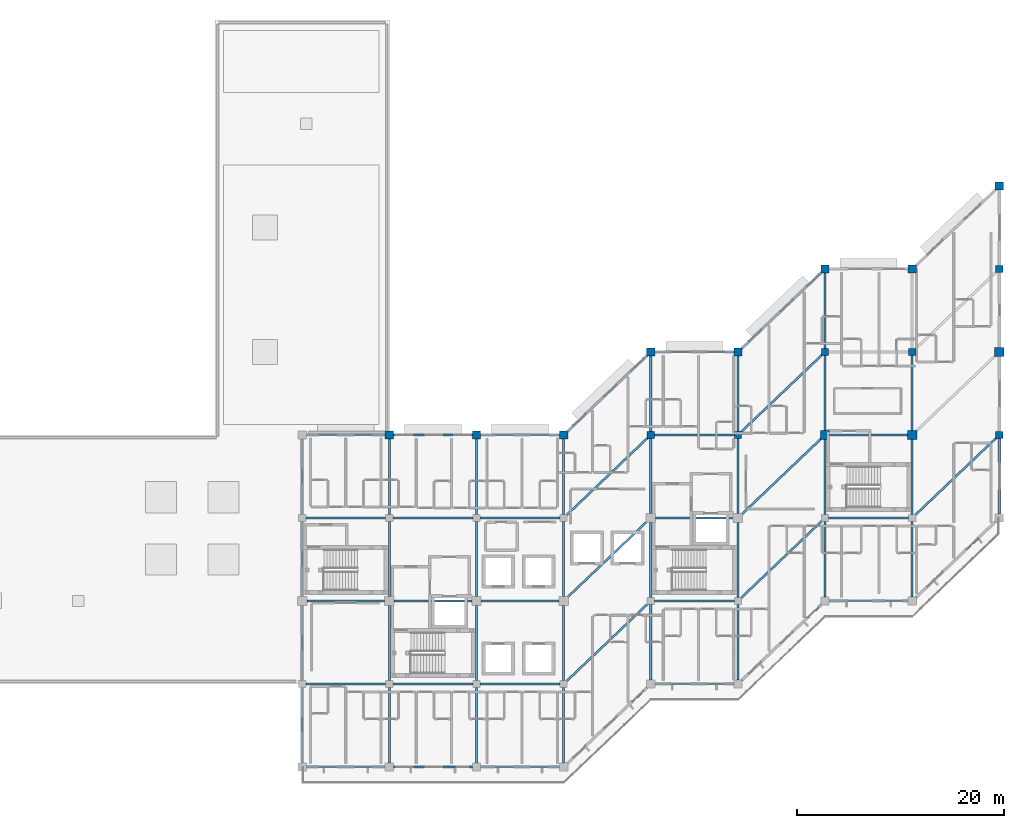
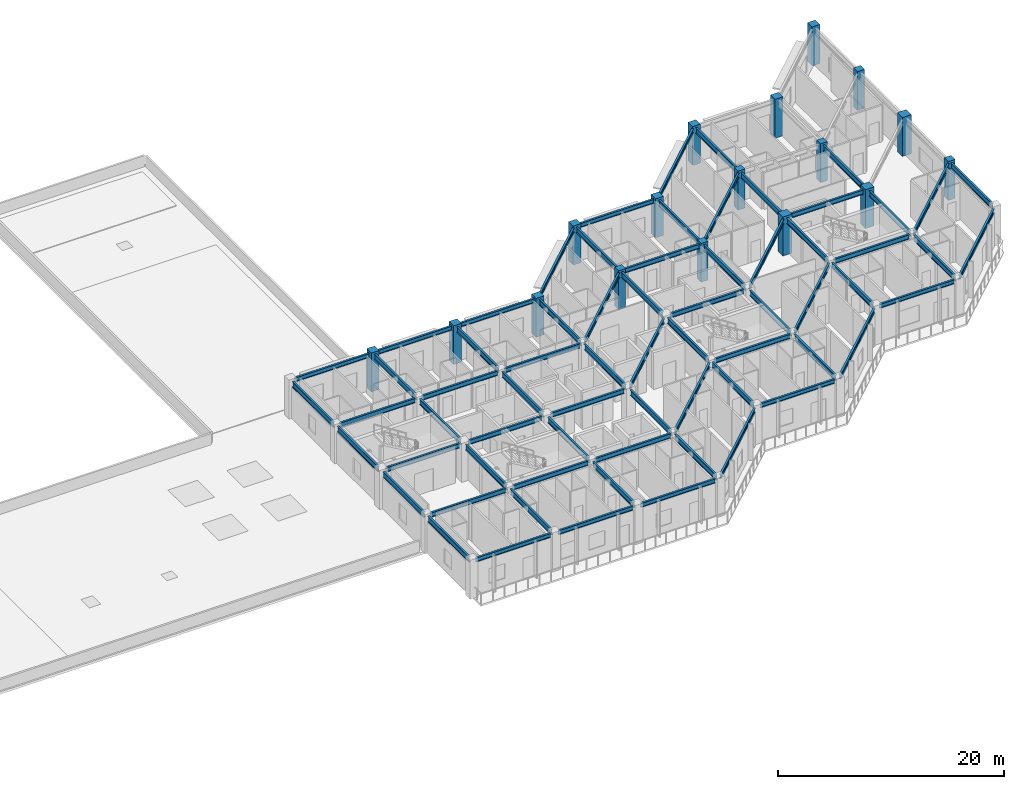
# One storey, part 4 of 22: 67 beams, 17 columns.
"""IFC4 building model written with IfcOpenShell, lengths in metres."""

from ifc_helpers import new_model, si_unit, direction, frame, origin, origin_2d, place, context, subcontext, project, spatial, rectangle, i_section, extrude, material, material_profile, profile_set, type_object, element, save


model = new_model("IFC4")

# Units and contexts
model_context = context("Model", 3, precision=1e-05, world=origin(), true_north=direction((0.0, 1.0)))
body_context = subcontext(model_context, "Body", "Model", "MODEL_VIEW")
ifc_project = project(units=[si_unit("LENGTHUNIT", "METRE"), si_unit("AREAUNIT", "SQUARE_METRE"), si_unit("VOLUMEUNIT", "CUBIC_METRE"), si_unit("PLANEANGLEUNIT", "RADIAN"), si_unit("MASSUNIT", "GRAM", prefix="KILO")], contexts=[model_context])

# Site, building, storey
site_placement = place(None, origin())
site = spatial("IfcSite", under=ifc_project, at=site_placement, CompositionType="ELEMENT")
building_placement = place(site_placement, origin())
building = spatial("IfcBuilding", under=site, at=building_placement, Name="Naruveol Harbour Congress Hotel", CompositionType="ELEMENT")
storey_placement = place(building_placement, frame((0.0, 0.0, 21.0)))
storey = spatial("IfcBuildingStorey", under=building, at=storey_placement, Name="L04", CompositionType="ELEMENT", Elevation=21.0)

# Columns
ifc_material_1 = material(Name="Concrete C40/50", Category="concrete")
ifc_material_profile_1 = material_profile(ifc_material_1, rectangle(XDim=0.699951171875, YDim=0.699951171875, at=origin_2d()), Name="RC-700x700")
ifc_profile_set_1 = profile_set([ifc_material_profile_1], Name="Concrete C40/50")
column_type_1 = type_object("IfcColumnType", Name="RC HOTEL COLUMN 700X700", PredefinedType="COLUMN", material=ifc_profile_set_1)
for number, where, z_axis, x_axis, name in (
    (1, (151.199951171875, 32.0, 0.0), (0.0, 0.0, 1.0), (1.0, 0.0, 0.0), "Planted hotel column C-700 L04 S4/J3"),
    (2, (159.60009765625, 32.0, 0.0), (0.0, 0.0, 1.0), (1.0, 0.0, 0.0), "Planted hotel column C-700 L04 S5/J3"),
    (3, (168.0, 40.0, 0.0), (0.0, 0.0, 1.0), (1.0, 0.0, 0.0), "Planted hotel column C-700 L04 S6/J3"),
    (4, (176.39990234375, 40.0, 0.0), (0.0, 0.0, 1.0), (1.0, 0.0, 0.0), "Planted hotel column C-700 L04 S7/J3"),
    (5, (184.800048828125, 32.0, 0.0), (0.0, 0.0, 1.0), (1.0, 0.0, 0.0), "Planted hotel column C-700 L04 S8/J1"),
    (6, (184.800048828125, 48.0, 0.0), (0.0, 0.0, 1.0), (1.0, 0.0, 0.0), "Planted hotel column C-700 L04 S8/J3"),
):
    element("IfcColumn", number, at=place(storey_placement, frame(where, z_axis=z_axis, x_axis=x_axis)), inside=storey, type_object=column_type_1, Name=name, PredefinedType="COLUMN", context=body_context, shape_type="SweptSolid", body=[
        extrude(rectangle(XDim=0.699951171875, YDim=0.699951171875, at=origin_2d()), origin(), (0.0, 0.0, 1.0), 4.199951171875),
    ])
ifc_material_2 = material(Name="Concrete C50/60", Category="concrete")
ifc_material_profile_2 = material_profile(ifc_material_2, rectangle(XDim=0.800048828125, YDim=0.800048828125, at=origin_2d()), Name="RC-800x800")
ifc_profile_set_2 = profile_set([ifc_material_profile_2], Name="Concrete C50/60")
column_type_2 = type_object("IfcColumnType", Name="RC PODIUM COLUMN 800X800", PredefinedType="COLUMN", material=ifc_profile_set_2)
for number, where, z_axis, x_axis, name in (
    (7, (126.0, 32.0, 0.0), (0.0, 0.0, 1.0), (1.0, 0.0, 0.0), "Column C-800 L04 (126.0,32.0)"),
    (8, (134.39990234375, 32.0, 0.0), (0.0, 0.0, 1.0), (1.0, 0.0, 0.0), "Column C-800 L04 (134.4,32.0)"),
    (9, (142.800048828125, 32.0, 0.0), (0.0, 0.0, 1.0), (1.0, 0.0, 0.0), "Column C-800 L04 (142.8,32.0)"),
    (10, (151.199951171875, 40.0, 0.0), (0.0, 0.0, 1.0), (1.0, 0.0, 0.0), "Column C-800 L04 (151.2,40.0)"),
    (11, (159.60009765625, 40.0, 0.0), (0.0, 0.0, 1.0), (1.0, 0.0, 0.0), "Column C-800 L04 (159.6,40.0)"),
    (12, (168.0, 48.0, 0.0), (0.0, 0.0, 1.0), (1.0, 0.0, 0.0), "Column C-800 L04 (168.0,48.0)"),
    (13, (176.39990234375, 48.0, 0.0), (0.0, 0.0, 1.0), (1.0, 0.0, 0.0), "Column C-800 L04 (176.4,48.0)"),
    (14, (184.800048828125, 56.0, 0.0), (0.0, 0.0, 1.0), (1.0, 0.0, 0.0), "Column C-800 L04 (184.8,56.0)"),
):
    element("IfcColumn", number, at=place(storey_placement, frame(where, z_axis=z_axis, x_axis=x_axis)), inside=storey, type_object=column_type_2, Name=name, PredefinedType="COLUMN", context=body_context, shape_type="SweptSolid", body=[
        extrude(rectangle(XDim=0.800048828125, YDim=0.800048828125, at=origin_2d()), origin(), (0.0, 0.0, 1.0), 4.199951171875),
    ])
ifc_material_3 = material(Name="Concrete C50/60", Category="concrete")
ifc_material_profile_3 = material_profile(ifc_material_3, rectangle(XDim=0.89990234375, YDim=0.89990234375, at=origin_2d()), Name="RC-900x900")
ifc_profile_set_3 = profile_set([ifc_material_profile_3], Name="Concrete C50/60")
column_type_3 = type_object("IfcColumnType", Name="RC PRIMARY COLUMN 900X900", PredefinedType="COLUMN", material=ifc_profile_set_3)
for number, where, z_axis, x_axis, name in (
    (15, (168.0, 32.0, 0.0), (0.0, 0.0, 1.0), (1.0, 0.0, 0.0), "Column C-900 L04 (168.0,32.0)"),
    (16, (176.39990234375, 32.0, 0.0), (0.0, 0.0, 1.0), (1.0, 0.0, 0.0), "Column C-900 L04 (176.4,32.0)"),
    (17, (184.800048828125, 40.0, 0.0), (0.0, 0.0, 1.0), (1.0, 0.0, 0.0), "Column C-900 L04 (184.8,40.0)"),
):
    element("IfcColumn", number, at=place(storey_placement, frame(where, z_axis=z_axis, x_axis=x_axis)), inside=storey, type_object=column_type_3, Name=name, PredefinedType="COLUMN", context=body_context, shape_type="SweptSolid", body=[
        extrude(rectangle(XDim=0.89990234375, YDim=0.89990234375, at=origin_2d()), origin(), (0.0, 0.0, 1.0), 4.199951171875),
    ])

# Beams
ifc_material_4 = material(Name="Steel SN490", Category="steel")
ifc_material_profile_4 = material_profile(ifc_material_4, i_section(OverallWidth=0.199951171875, OverallDepth=0.5, WebThickness=0.010009765625, FlangeThickness=0.01611328125, at=origin_2d()), Name="H-500x200x10x16")
ifc_profile_set_4 = profile_set([ifc_material_profile_4], Name="Steel SN490")
beam_type_1 = type_object("IfcBeamType", Name="STEEL FLOOR GIRDER H500", PredefinedType="BEAM", material=ifc_profile_set_4)
beam_1_placement = place(storey_placement, frame((117.946044921875, 8.0, 3.72998046875), z_axis=(1.0, 0.0, 0.0), x_axis=(0.0, 1.0, 0.0)))
element("IfcBeam", 18, at=beam_1_placement, inside=storey, type_object=beam_type_1, Name="Hotel chord beam L05 SB2", PredefinedType="BEAM", context=body_context, shape_type="SweptSolid", body=[
    extrude(i_section(OverallWidth=0.199951171875, OverallDepth=0.5, WebThickness=0.010009765625, FlangeThickness=0.01611328125, at=origin_2d()), origin(), (0.0, 0.0, 1.0), 7.7080078125),
])
beam_2_placement = place(storey_placement, frame((118.0458984375, 16.0, 3.72998046875), z_axis=(1.0, 0.0, 0.0), x_axis=(0.0, 1.0, 0.0)))
element("IfcBeam", 19, at=beam_2_placement, inside=storey, type_object=beam_type_1, Name="Hotel chord beam L05 SB2", PredefinedType="BEAM", context=body_context, shape_type="SweptSolid", body=[
    extrude(i_section(OverallWidth=0.199951171875, OverallDepth=0.5, WebThickness=0.010009765625, FlangeThickness=0.01611328125, at=origin_2d()), origin(), (0.0, 0.0, 1.0), 7.508056640625),
])
for number, where, z_axis, x_axis, name in (
    (20, (117.946044921875, 24.0, 3.72998046875), (1.0, 0.0, 0.0), (0.0, 1.0, 0.0), "Hotel chord beam L05 SB2"),
    (21, (126.345947265625, 8.0, 3.72998046875), (1.0, 0.0, 0.0), (0.0, 1.0, 0.0), "Hotel chord beam L05 SB2"),
):
    element("IfcBeam", number, at=place(storey_placement, frame(where, z_axis=z_axis, x_axis=x_axis)), inside=storey, type_object=beam_type_1, Name=name, PredefinedType="BEAM", context=body_context, shape_type="SweptSolid", body=[
        extrude(i_section(OverallWidth=0.199951171875, OverallDepth=0.5, WebThickness=0.010009765625, FlangeThickness=0.01611328125, at=origin_2d()), origin(), (0.0, 0.0, 1.0), 7.7080078125),
    ])
beam_3_placement = place(storey_placement, frame((126.446044921875, 16.0, 3.72998046875), z_axis=(1.0, 0.0, 0.0), x_axis=(0.0, 1.0, 0.0)))
element("IfcBeam", 22, at=beam_3_placement, inside=storey, type_object=beam_type_1, Name="Hotel chord beam L05 SB2", PredefinedType="BEAM", context=body_context, shape_type="SweptSolid", body=[
    extrude(i_section(OverallWidth=0.199951171875, OverallDepth=0.5, WebThickness=0.010009765625, FlangeThickness=0.01611328125, at=origin_2d()), origin(), (0.0, 0.0, 1.0), 7.508056640625),
])
for number, where, z_axis, x_axis, name in (
    (23, (126.345947265625, 24.0, 3.72998046875), (1.0, 0.0, 0.0), (0.0, 1.0, 0.0), "Hotel chord beam L05 SB2"),
    (24, (134.74609375, 8.0, 3.72998046875), (1.0, 0.0, 0.0), (0.0, 1.0, 0.0), "Hotel chord beam L05 SB2"),
):
    element("IfcBeam", number, at=place(storey_placement, frame(where, z_axis=z_axis, x_axis=x_axis)), inside=storey, type_object=beam_type_1, Name=name, PredefinedType="BEAM", context=body_context, shape_type="SweptSolid", body=[
        extrude(i_section(OverallWidth=0.199951171875, OverallDepth=0.5, WebThickness=0.010009765625, FlangeThickness=0.01611328125, at=origin_2d()), origin(), (0.0, 0.0, 1.0), 7.7080078125),
    ])
beam_4_placement = place(storey_placement, frame((134.845947265625, 16.0, 3.72998046875), z_axis=(1.0, 0.0, 0.0), x_axis=(0.0, 1.0, 0.0)))
element("IfcBeam", 25, at=beam_4_placement, inside=storey, type_object=beam_type_1, Name="Hotel chord beam L05 SB2", PredefinedType="BEAM", context=body_context, shape_type="SweptSolid", body=[
    extrude(i_section(OverallWidth=0.199951171875, OverallDepth=0.5, WebThickness=0.010009765625, FlangeThickness=0.01611328125, at=origin_2d()), origin(), (0.0, 0.0, 1.0), 7.508056640625),
])
beam_5_placement = place(storey_placement, frame((134.74609375, 24.0, 3.72998046875), z_axis=(1.0, 0.0, 0.0), x_axis=(0.0, 1.0, 0.0)))
element("IfcBeam", 26, at=beam_5_placement, inside=storey, type_object=beam_type_1, Name="Hotel chord beam L05 SB2", PredefinedType="BEAM", context=body_context, shape_type="SweptSolid", body=[
    extrude(i_section(OverallWidth=0.199951171875, OverallDepth=0.5, WebThickness=0.010009765625, FlangeThickness=0.01611328125, at=origin_2d()), origin(), (0.0, 0.0, 1.0), 7.7080078125),
])
beam_6_placement = place(storey_placement, frame((143.050537109375, 8.238525390625, 3.72998046875), z_axis=(0.724130479369, 0.689662996578, 0.0), x_axis=(-0.689662996578, 0.724130479369, 0.0)))
element("IfcBeam", 27, at=beam_6_placement, inside=storey, type_object=beam_type_1, Name="Hotel chord beam L05 SB2", PredefinedType="BEAM", context=body_context, shape_type="SweptSolid", body=[
    extrude(i_section(OverallWidth=0.199951171875, OverallDepth=0.5, WebThickness=0.010009765625, FlangeThickness=0.01611328125, at=origin_2d()), origin(), (0.0, 0.0, 1.0), 10.908203125),
])
beam_7_placement = place(storey_placement, frame((143.123046875, 16.3076171875, 3.72998046875), z_axis=(0.724133593293, 0.689659727013, 0.0), x_axis=(-0.689659727013, 0.724133593293, 0.0)))
element("IfcBeam", 28, at=beam_7_placement, inside=storey, type_object=beam_type_1, Name="Hotel chord beam L05 SB2", PredefinedType="BEAM", context=body_context, shape_type="SweptSolid", body=[
    extrude(i_section(OverallWidth=0.199951171875, OverallDepth=0.5, WebThickness=0.010009765625, FlangeThickness=0.01611328125, at=origin_2d()), origin(), (0.0, 0.0, 1.0), 10.707763671875),
])
beam_8_placement = place(storey_placement, frame((143.050537109375, 24.238525390625, 3.72998046875), z_axis=(0.724130479369, 0.689662996578, 0.0), x_axis=(-0.689662996578, 0.724130479369, 0.0)))
element("IfcBeam", 29, at=beam_8_placement, inside=storey, type_object=beam_type_1, Name="Hotel chord beam L05 SB2", PredefinedType="BEAM", context=body_context, shape_type="SweptSolid", body=[
    extrude(i_section(OverallWidth=0.199951171875, OverallDepth=0.5, WebThickness=0.010009765625, FlangeThickness=0.01611328125, at=origin_2d()), origin(), (0.0, 0.0, 1.0), 10.908203125),
])
beam_9_placement = place(storey_placement, frame((151.5458984375, 16.0, 3.72998046875), z_axis=(1.0, 0.0, 0.0), x_axis=(0.0, 1.0, 0.0)))
element("IfcBeam", 30, at=beam_9_placement, inside=storey, type_object=beam_type_1, Name="Hotel chord beam L05 SB2", PredefinedType="BEAM", context=body_context, shape_type="SweptSolid", body=[
    extrude(i_section(OverallWidth=0.199951171875, OverallDepth=0.5, WebThickness=0.010009765625, FlangeThickness=0.01611328125, at=origin_2d()), origin(), (0.0, 0.0, 1.0), 7.7080078125),
])
beam_10_placement = place(storey_placement, frame((151.64599609375, 24.0, 3.72998046875), z_axis=(1.0, 0.0, 0.0), x_axis=(0.0, 1.0, 0.0)))
element("IfcBeam", 31, at=beam_10_placement, inside=storey, type_object=beam_type_1, Name="Hotel chord beam L05 SB2", PredefinedType="BEAM", context=body_context, shape_type="SweptSolid", body=[
    extrude(i_section(OverallWidth=0.199951171875, OverallDepth=0.5, WebThickness=0.010009765625, FlangeThickness=0.01611328125, at=origin_2d()), origin(), (0.0, 0.0, 1.0), 7.508056640625),
])
beam_11_placement = place(storey_placement, frame((151.5458984375, 32.0, 3.72998046875), z_axis=(1.0, 0.0, 0.0), x_axis=(0.0, 1.0, 0.0)))
element("IfcBeam", 32, at=beam_11_placement, inside=storey, type_object=beam_type_1, Name="Hotel chord beam L05 SB2", PredefinedType="BEAM", context=body_context, shape_type="SweptSolid", body=[
    extrude(i_section(OverallWidth=0.199951171875, OverallDepth=0.5, WebThickness=0.010009765625, FlangeThickness=0.01611328125, at=origin_2d()), origin(), (0.0, 0.0, 1.0), 7.7080078125),
])
beam_12_placement = place(storey_placement, frame((159.8505859375, 16.238525390625, 3.72998046875), z_axis=(0.724130479369, 0.689662996578, 0.0), x_axis=(-0.689662996578, 0.724130479369, 0.0)))
element("IfcBeam", 33, at=beam_12_placement, inside=storey, type_object=beam_type_1, Name="Hotel chord beam L05 SB2", PredefinedType="BEAM", context=body_context, shape_type="SweptSolid", body=[
    extrude(i_section(OverallWidth=0.199951171875, OverallDepth=0.5, WebThickness=0.010009765625, FlangeThickness=0.01611328125, at=origin_2d()), origin(), (0.0, 0.0, 1.0), 10.908203125),
])
beam_13_placement = place(storey_placement, frame((159.923095703125, 24.3076171875, 3.72998046875), z_axis=(0.724133593293, 0.689659727013, 0.0), x_axis=(-0.689659727013, 0.724133593293, 0.0)))
element("IfcBeam", 34, at=beam_13_placement, inside=storey, type_object=beam_type_1, Name="Hotel chord beam L05 SB2", PredefinedType="BEAM", context=body_context, shape_type="SweptSolid", body=[
    extrude(i_section(OverallWidth=0.199951171875, OverallDepth=0.5, WebThickness=0.010009765625, FlangeThickness=0.01611328125, at=origin_2d()), origin(), (0.0, 0.0, 1.0), 10.707763671875),
])
beam_14_placement = place(storey_placement, frame((159.8505859375, 32.238525390625, 3.72998046875), z_axis=(0.724130479369, 0.689662996578, 0.0), x_axis=(-0.689662996578, 0.724130479369, 0.0)))
element("IfcBeam", 35, at=beam_14_placement, inside=storey, type_object=beam_type_1, Name="Hotel chord beam L05 SB2", PredefinedType="BEAM", context=body_context, shape_type="SweptSolid", body=[
    extrude(i_section(OverallWidth=0.199951171875, OverallDepth=0.5, WebThickness=0.010009765625, FlangeThickness=0.01611328125, at=origin_2d()), origin(), (0.0, 0.0, 1.0), 10.908203125),
])
beam_15_placement = place(storey_placement, frame((168.345947265625, 24.0, 3.72998046875), z_axis=(1.0, 0.0, 0.0), x_axis=(0.0, 1.0, 0.0)))
element("IfcBeam", 36, at=beam_15_placement, inside=storey, type_object=beam_type_1, Name="Hotel chord beam L05 SB2", PredefinedType="BEAM", context=body_context, shape_type="SweptSolid", body=[
    extrude(i_section(OverallWidth=0.199951171875, OverallDepth=0.5, WebThickness=0.010009765625, FlangeThickness=0.01611328125, at=origin_2d()), origin(), (0.0, 0.0, 1.0), 7.7080078125),
])
beam_16_placement = place(storey_placement, frame((168.446044921875, 32.0, 3.72998046875), z_axis=(1.0, 0.0, 0.0), x_axis=(0.0, 1.0, 0.0)))
element("IfcBeam", 37, at=beam_16_placement, inside=storey, type_object=beam_type_1, Name="Hotel chord beam L05 SB2", PredefinedType="BEAM", context=body_context, shape_type="SweptSolid", body=[
    extrude(i_section(OverallWidth=0.199951171875, OverallDepth=0.5, WebThickness=0.010009765625, FlangeThickness=0.01611328125, at=origin_2d()), origin(), (0.0, 0.0, 1.0), 7.508056640625),
])
beam_17_placement = place(storey_placement, frame((176.650634765625, 24.238525390625, 3.72998046875), z_axis=(0.724119833693, 0.689674174123, 0.0), x_axis=(-0.689674174123, 0.724119833693, 0.0)))
element("IfcBeam", 38, at=beam_17_placement, inside=storey, type_object=beam_type_1, Name="Hotel chord beam L05 SB2", PredefinedType="BEAM", context=body_context, shape_type="SweptSolid", body=[
    extrude(i_section(OverallWidth=0.199951171875, OverallDepth=0.5, WebThickness=0.010009765625, FlangeThickness=0.01611328125, at=origin_2d()), origin(), (0.0, 0.0, 1.0), 10.907958984375),
])
ifc_material_5 = material(Name="Steel SN490", Category="steel")
ifc_material_profile_5 = material_profile(ifc_material_5, i_section(OverallWidth=0.199951171875, OverallDepth=0.60009765625, WebThickness=0.010986328125, FlangeThickness=0.01708984375, at=origin_2d()), Name="H-600x200x11x17")
ifc_profile_set_5 = profile_set([ifc_material_profile_5], Name="Steel SN490")
beam_type_2 = type_object("IfcBeamType", Name="STEEL PRIMARY FLOOR BEAM H600", PredefinedType="BEAM", material=ifc_profile_set_5)
beam_18_placement = place(storey_placement, frame((117.60009765625, 0.39599609375, 3.679931640625), z_axis=(0.0, 1.0, 0.0), x_axis=(-1.0, 0.0, 0.0)))
element("IfcBeam", 39, at=beam_18_placement, inside=storey, type_object=beam_type_2, Name="Hotel transverse beam L05 SB1", PredefinedType="BEAM", context=body_context, shape_type="SweptSolid", body=[
    extrude(i_section(OverallWidth=0.199951171875, OverallDepth=0.60009765625, WebThickness=0.010986328125, FlangeThickness=0.01708984375, at=origin_2d()), origin(), (0.0, 0.0, 1.0), 7.258056640625),
])
for number, where, z_axis, x_axis, name in (
    (40, (117.60009765625, 8.345947265625, 3.679931640625), (0.0, 1.0, 0.0), (-1.0, 0.0, 0.0), "Hotel transverse beam L05 SB1"),
    (41, (117.60009765625, 16.446044921875, 3.679931640625), (0.0, 1.0, 0.0), (-1.0, 0.0, 0.0), "Hotel transverse beam L05 SB1"),
):
    element("IfcBeam", number, at=place(storey_placement, frame(where, z_axis=z_axis, x_axis=x_axis)), inside=storey, type_object=beam_type_2, Name=name, PredefinedType="BEAM", context=body_context, shape_type="SweptSolid", body=[
        extrude(i_section(OverallWidth=0.199951171875, OverallDepth=0.60009765625, WebThickness=0.010986328125, FlangeThickness=0.01708984375, at=origin_2d()), origin(), (0.0, 0.0, 1.0), 7.2080078125),
    ])
for number, where, z_axis, x_axis, name in (
    (42, (117.60009765625, 24.345947265625, 3.679931640625), (0.0, 1.0, 0.0), (-1.0, 0.0, 0.0), "Hotel transverse beam L05 SB1"),
    (43, (126.0, 0.39599609375, 3.679931640625), (0.0, 1.0, 0.0), (-1.0, 0.0, 0.0), "Hotel transverse beam L05 SB1"),
):
    element("IfcBeam", number, at=place(storey_placement, frame(where, z_axis=z_axis, x_axis=x_axis)), inside=storey, type_object=beam_type_2, Name=name, PredefinedType="BEAM", context=body_context, shape_type="SweptSolid", body=[
        extrude(i_section(OverallWidth=0.199951171875, OverallDepth=0.60009765625, WebThickness=0.010986328125, FlangeThickness=0.01708984375, at=origin_2d()), origin(), (0.0, 0.0, 1.0), 7.258056640625),
    ])
for number, where, z_axis, x_axis, name in (
    (44, (126.0, 8.345947265625, 3.679931640625), (0.0, 1.0, 0.0), (-1.0, 0.0, 0.0), "Hotel transverse beam L05 SB1"),
    (45, (126.0, 16.446044921875, 3.679931640625), (0.0, 1.0, 0.0), (-1.0, 0.0, 0.0), "Hotel transverse beam L05 SB1"),
):
    element("IfcBeam", number, at=place(storey_placement, frame(where, z_axis=z_axis, x_axis=x_axis)), inside=storey, type_object=beam_type_2, Name=name, PredefinedType="BEAM", context=body_context, shape_type="SweptSolid", body=[
        extrude(i_section(OverallWidth=0.199951171875, OverallDepth=0.60009765625, WebThickness=0.010986328125, FlangeThickness=0.01708984375, at=origin_2d()), origin(), (0.0, 0.0, 1.0), 7.2080078125),
    ])
for number, where, z_axis, x_axis, name in (
    (46, (126.0, 24.345947265625, 3.679931640625), (0.0, 1.0, 0.0), (-1.0, 0.0, 0.0), "Hotel transverse beam L05 SB1"),
    (47, (134.39990234375, 0.39599609375, 3.679931640625), (0.0, 1.0, 0.0), (-1.0, 0.0, 0.0), "Hotel transverse beam L05 SB1"),
):
    element("IfcBeam", number, at=place(storey_placement, frame(where, z_axis=z_axis, x_axis=x_axis)), inside=storey, type_object=beam_type_2, Name=name, PredefinedType="BEAM", context=body_context, shape_type="SweptSolid", body=[
        extrude(i_section(OverallWidth=0.199951171875, OverallDepth=0.60009765625, WebThickness=0.010986328125, FlangeThickness=0.01708984375, at=origin_2d()), origin(), (0.0, 0.0, 1.0), 7.258056640625),
    ])
for number, where, z_axis, x_axis, name in (
    (48, (134.39990234375, 8.345947265625, 3.679931640625), (0.0, 1.0, 0.0), (-1.0, 0.0, 0.0), "Hotel transverse beam L05 SB1"),
    (49, (134.39990234375, 16.446044921875, 3.679931640625), (0.0, 1.0, 0.0), (-1.0, 0.0, 0.0), "Hotel transverse beam L05 SB1"),
):
    element("IfcBeam", number, at=place(storey_placement, frame(where, z_axis=z_axis, x_axis=x_axis)), inside=storey, type_object=beam_type_2, Name=name, PredefinedType="BEAM", context=body_context, shape_type="SweptSolid", body=[
        extrude(i_section(OverallWidth=0.199951171875, OverallDepth=0.60009765625, WebThickness=0.010986328125, FlangeThickness=0.01708984375, at=origin_2d()), origin(), (0.0, 0.0, 1.0), 7.2080078125),
    ])
for number, where, z_axis, x_axis, name in (
    (50, (134.39990234375, 24.345947265625, 3.679931640625), (0.0, 1.0, 0.0), (-1.0, 0.0, 0.0), "Hotel transverse beam L05 SB1"),
    (51, (142.800048828125, 0.39599609375, 3.679931640625), (0.0, 1.0, 0.0), (-1.0, 0.0, 0.0), "Hotel transverse beam L05 SB1"),
):
    element("IfcBeam", number, at=place(storey_placement, frame(where, z_axis=z_axis, x_axis=x_axis)), inside=storey, type_object=beam_type_2, Name=name, PredefinedType="BEAM", context=body_context, shape_type="SweptSolid", body=[
        extrude(i_section(OverallWidth=0.199951171875, OverallDepth=0.60009765625, WebThickness=0.010986328125, FlangeThickness=0.01708984375, at=origin_2d()), origin(), (0.0, 0.0, 1.0), 7.258056640625),
    ])
for number, where, z_axis, x_axis, name in (
    (52, (142.800048828125, 8.345947265625, 3.679931640625), (0.0, 1.0, 0.0), (-1.0, 0.0, 0.0), "Hotel transverse beam L05 SB1"),
    (53, (142.800048828125, 16.446044921875, 3.679931640625), (0.0, 1.0, 0.0), (-1.0, 0.0, 0.0), "Hotel transverse beam L05 SB1"),
):
    element("IfcBeam", number, at=place(storey_placement, frame(where, z_axis=z_axis, x_axis=x_axis)), inside=storey, type_object=beam_type_2, Name=name, PredefinedType="BEAM", context=body_context, shape_type="SweptSolid", body=[
        extrude(i_section(OverallWidth=0.199951171875, OverallDepth=0.60009765625, WebThickness=0.010986328125, FlangeThickness=0.01708984375, at=origin_2d()), origin(), (0.0, 0.0, 1.0), 7.2080078125),
    ])
for number, where, z_axis, x_axis, name in (
    (54, (142.800048828125, 24.345947265625, 3.679931640625), (0.0, 1.0, 0.0), (-1.0, 0.0, 0.0), "Hotel transverse beam L05 SB1"),
    (55, (151.199951171875, 8.39599609375, 3.679931640625), (0.0, 1.0, 0.0), (-1.0, 0.0, 0.0), "Hotel transverse beam L05 SB1"),
):
    element("IfcBeam", number, at=place(storey_placement, frame(where, z_axis=z_axis, x_axis=x_axis)), inside=storey, type_object=beam_type_2, Name=name, PredefinedType="BEAM", context=body_context, shape_type="SweptSolid", body=[
        extrude(i_section(OverallWidth=0.199951171875, OverallDepth=0.60009765625, WebThickness=0.010986328125, FlangeThickness=0.01708984375, at=origin_2d()), origin(), (0.0, 0.0, 1.0), 7.258056640625),
    ])
for number, where, z_axis, x_axis, name in (
    (56, (151.199951171875, 16.345947265625, 3.679931640625), (0.0, 1.0, 0.0), (-1.0, 0.0, 0.0), "Hotel transverse beam L05 SB1"),
    (57, (151.199951171875, 24.446044921875, 3.679931640625), (0.0, 1.0, 0.0), (-1.0, 0.0, 0.0), "Hotel transverse beam L05 SB1"),
):
    element("IfcBeam", number, at=place(storey_placement, frame(where, z_axis=z_axis, x_axis=x_axis)), inside=storey, type_object=beam_type_2, Name=name, PredefinedType="BEAM", context=body_context, shape_type="SweptSolid", body=[
        extrude(i_section(OverallWidth=0.199951171875, OverallDepth=0.60009765625, WebThickness=0.010986328125, FlangeThickness=0.01708984375, at=origin_2d()), origin(), (0.0, 0.0, 1.0), 7.2080078125),
    ])
for number, where, z_axis, x_axis, name in (
    (58, (151.199951171875, 32.345947265625, 3.679931640625), (0.0, 1.0, 0.0), (-1.0, 0.0, 0.0), "Hotel transverse beam L05 SB1"),
    (59, (159.60009765625, 8.39599609375, 3.679931640625), (0.0, 1.0, 0.0), (-1.0, 0.0, 0.0), "Hotel transverse beam L05 SB1"),
):
    element("IfcBeam", number, at=place(storey_placement, frame(where, z_axis=z_axis, x_axis=x_axis)), inside=storey, type_object=beam_type_2, Name=name, PredefinedType="BEAM", context=body_context, shape_type="SweptSolid", body=[
        extrude(i_section(OverallWidth=0.199951171875, OverallDepth=0.60009765625, WebThickness=0.010986328125, FlangeThickness=0.01708984375, at=origin_2d()), origin(), (0.0, 0.0, 1.0), 7.258056640625),
    ])
for number, where, z_axis, x_axis, name in (
    (60, (159.60009765625, 16.345947265625, 3.679931640625), (0.0, 1.0, 0.0), (-1.0, 0.0, 0.0), "Hotel transverse beam L05 SB1"),
    (61, (159.60009765625, 24.446044921875, 3.679931640625), (0.0, 1.0, 0.0), (-1.0, 0.0, 0.0), "Hotel transverse beam L05 SB1"),
):
    element("IfcBeam", number, at=place(storey_placement, frame(where, z_axis=z_axis, x_axis=x_axis)), inside=storey, type_object=beam_type_2, Name=name, PredefinedType="BEAM", context=body_context, shape_type="SweptSolid", body=[
        extrude(i_section(OverallWidth=0.199951171875, OverallDepth=0.60009765625, WebThickness=0.010986328125, FlangeThickness=0.01708984375, at=origin_2d()), origin(), (0.0, 0.0, 1.0), 7.2080078125),
    ])
for number, where, z_axis, x_axis, name in (
    (62, (159.60009765625, 32.345947265625, 3.679931640625), (0.0, 1.0, 0.0), (-1.0, 0.0, 0.0), "Hotel transverse beam L05 SB1"),
    (63, (168.0, 16.39599609375, 3.679931640625), (0.0, 1.0, 0.0), (-1.0, 0.0, 0.0), "Hotel transverse beam L05 SB1"),
):
    element("IfcBeam", number, at=place(storey_placement, frame(where, z_axis=z_axis, x_axis=x_axis)), inside=storey, type_object=beam_type_2, Name=name, PredefinedType="BEAM", context=body_context, shape_type="SweptSolid", body=[
        extrude(i_section(OverallWidth=0.199951171875, OverallDepth=0.60009765625, WebThickness=0.010986328125, FlangeThickness=0.01708984375, at=origin_2d()), origin(), (0.0, 0.0, 1.0), 7.258056640625),
    ])
for number, where, z_axis, x_axis, name in (
    (64, (168.0, 24.345947265625, 3.679931640625), (0.0, 1.0, 0.0), (-1.0, 0.0, 0.0), "Hotel transverse beam L05 SB1"),
    (65, (168.0, 32.446044921875, 3.679931640625), (0.0, 1.0, 0.0), (-1.0, 0.0, 0.0), "Hotel transverse beam L05 SB1"),
):
    element("IfcBeam", number, at=place(storey_placement, frame(where, z_axis=z_axis, x_axis=x_axis)), inside=storey, type_object=beam_type_2, Name=name, PredefinedType="BEAM", context=body_context, shape_type="SweptSolid", body=[
        extrude(i_section(OverallWidth=0.199951171875, OverallDepth=0.60009765625, WebThickness=0.010986328125, FlangeThickness=0.01708984375, at=origin_2d()), origin(), (0.0, 0.0, 1.0), 7.2080078125),
    ])
for number, where, z_axis, x_axis, name in (
    (66, (168.0, 40.345947265625, 3.679931640625), (0.0, 1.0, 0.0), (-1.0, 0.0, 0.0), "Hotel transverse beam L05 SB1"),
    (67, (176.39990234375, 16.39599609375, 3.679931640625), (0.0, 1.0, 0.0), (-1.0, 0.0, 0.0), "Hotel transverse beam L05 SB1"),
):
    element("IfcBeam", number, at=place(storey_placement, frame(where, z_axis=z_axis, x_axis=x_axis)), inside=storey, type_object=beam_type_2, Name=name, PredefinedType="BEAM", context=body_context, shape_type="SweptSolid", body=[
        extrude(i_section(OverallWidth=0.199951171875, OverallDepth=0.60009765625, WebThickness=0.010986328125, FlangeThickness=0.01708984375, at=origin_2d()), origin(), (0.0, 0.0, 1.0), 7.258056640625),
    ])
for number, where, z_axis, x_axis, name in (
    (68, (176.39990234375, 24.345947265625, 3.679931640625), (0.0, 1.0, 0.0), (-1.0, 0.0, 0.0), "Hotel transverse beam L05 SB1"),
    (69, (176.39990234375, 32.446044921875, 3.679931640625), (0.0, 1.0, 0.0), (-1.0, 0.0, 0.0), "Hotel transverse beam L05 SB1"),
):
    element("IfcBeam", number, at=place(storey_placement, frame(where, z_axis=z_axis, x_axis=x_axis)), inside=storey, type_object=beam_type_2, Name=name, PredefinedType="BEAM", context=body_context, shape_type="SweptSolid", body=[
        extrude(i_section(OverallWidth=0.199951171875, OverallDepth=0.60009765625, WebThickness=0.010986328125, FlangeThickness=0.01708984375, at=origin_2d()), origin(), (0.0, 0.0, 1.0), 7.2080078125),
    ])
beam_19_placement = place(storey_placement, frame((184.800048828125, 24.39599609375, 3.679931640625), z_axis=(0.0, 1.0, 0.0), x_axis=(-1.0, 0.0, 0.0)))
element("IfcBeam", 70, at=beam_19_placement, inside=storey, type_object=beam_type_2, Name="Hotel transverse beam L05 SB1", PredefinedType="BEAM", context=body_context, shape_type="SweptSolid", body=[
    extrude(i_section(OverallWidth=0.199951171875, OverallDepth=0.60009765625, WebThickness=0.010986328125, FlangeThickness=0.01708984375, at=origin_2d()), origin(), (0.0, 0.0, 1.0), 7.258056640625),
])
ifc_material_6 = material(Name="Steel SN490", Category="steel")
ifc_material_profile_6 = material_profile(ifc_material_6, i_section(OverallWidth=0.199951171875, OverallDepth=0.449951171875, WebThickness=0.009033203125, FlangeThickness=0.013916015625, at=origin_2d()), Name="H-450x200x9x14")
ifc_profile_set_6 = profile_set([ifc_material_profile_6], Name="Steel SN490")
beam_type_3 = type_object("IfcBeamType", Name="STEEL SPANDREL EDGE BEAM H450", PredefinedType="SPANDREL", material=ifc_profile_set_6)
for number, where, z_axis, x_axis, name in (
    (71, (117.99609375, 0.0, 3.7548828125), (1.0, 0.0, 0.0), (0.0, 1.0, 0.0), "Hotel chord beam L05 SPB2"),
    (72, (117.99609375, 32.0, 3.7548828125), (1.0, 0.0, 0.0), (0.0, 1.0, 0.0), "Hotel chord beam L05 SPB2"),
    (73, (126.39599609375, 0.0, 3.7548828125), (1.0, 0.0, 0.0), (0.0, 1.0, 0.0), "Hotel chord beam L05 SPB2"),
    (74, (126.39599609375, 32.0, 3.7548828125), (1.0, 0.0, 0.0), (0.0, 1.0, 0.0), "Hotel chord beam L05 SPB2"),
):
    element("IfcBeam", number, at=place(storey_placement, frame(where, z_axis=z_axis, x_axis=x_axis)), inside=storey, type_object=beam_type_3, Name=name, PredefinedType="SPANDREL", context=body_context, shape_type="SweptSolid", body=[
        extrude(i_section(OverallWidth=0.199951171875, OverallDepth=0.449951171875, WebThickness=0.009033203125, FlangeThickness=0.013916015625, at=origin_2d()), origin(), (0.0, 0.0, 1.0), 7.60791015625),
    ])
for number, where, z_axis, x_axis, name in (
    (75, (134.7958984375, 0.0, 3.7548828125), (1.0, 0.0, 0.0), (0.0, 1.0, 0.0), "Hotel chord beam L05 SPB2"),
    (76, (134.7958984375, 32.0, 3.7548828125), (1.0, 0.0, 0.0), (0.0, 1.0, 0.0), "Hotel chord beam L05 SPB2"),
):
    element("IfcBeam", number, at=place(storey_placement, frame(where, z_axis=z_axis, x_axis=x_axis)), inside=storey, type_object=beam_type_3, Name=name, PredefinedType="SPANDREL", context=body_context, shape_type="SweptSolid", body=[
        extrude(i_section(OverallWidth=0.199951171875, OverallDepth=0.449951171875, WebThickness=0.009033203125, FlangeThickness=0.013916015625, at=origin_2d()), origin(), (0.0, 0.0, 1.0), 7.608154296875),
    ])
for number, where, z_axis, x_axis, name in (
    (77, (143.0869140625, 0.273193359375, 3.7548828125), (0.724132558929, 0.68966081308, 0.0), (-0.68966081308, 0.724132558929, 0.0), "Hotel chord beam L05 SPB2"),
    (78, (143.0869140625, 32.273193359375, 3.7548828125), (0.724132558929, 0.68966081308, 0.0), (-0.68966081308, 0.724132558929, 0.0), "Hotel chord beam L05 SPB2"),
):
    element("IfcBeam", number, at=place(storey_placement, frame(where, z_axis=z_axis, x_axis=x_axis)), inside=storey, type_object=beam_type_3, Name=name, PredefinedType="SPANDREL", context=body_context, shape_type="SweptSolid", body=[
        extrude(i_section(OverallWidth=0.199951171875, OverallDepth=0.449951171875, WebThickness=0.009033203125, FlangeThickness=0.013916015625, at=origin_2d()), origin(), (0.0, 0.0, 1.0), 10.8076171875),
    ])
for number, where, z_axis, x_axis, name in (
    (79, (151.595947265625, 8.0, 3.7548828125), (1.0, 0.0, 0.0), (0.0, 1.0, 0.0), "Hotel chord beam L05 SPB2"),
    (80, (151.595947265625, 40.0, 3.7548828125), (1.0, 0.0, 0.0), (0.0, 1.0, 0.0), "Hotel chord beam L05 SPB2"),
):
    element("IfcBeam", number, at=place(storey_placement, frame(where, z_axis=z_axis, x_axis=x_axis)), inside=storey, type_object=beam_type_3, Name=name, PredefinedType="SPANDREL", context=body_context, shape_type="SweptSolid", body=[
        extrude(i_section(OverallWidth=0.199951171875, OverallDepth=0.449951171875, WebThickness=0.009033203125, FlangeThickness=0.013916015625, at=origin_2d()), origin(), (0.0, 0.0, 1.0), 7.608154296875),
    ])
for number, where, z_axis, x_axis, name in (
    (81, (159.88671875, 8.273193359375, 3.7548828125), (0.724143303008, 0.689649531798, 0.0), (-0.689649531798, 0.724143303008, 0.0), "Hotel chord beam L05 SPB2"),
    (82, (159.88671875, 40.273193359375, 3.7548828125), (0.724143303008, 0.689649531798, 0.0), (-0.689649531798, 0.724143303008, 0.0), "Hotel chord beam L05 SPB2"),
):
    element("IfcBeam", number, at=place(storey_placement, frame(where, z_axis=z_axis, x_axis=x_axis)), inside=storey, type_object=beam_type_3, Name=name, PredefinedType="SPANDREL", context=body_context, shape_type="SweptSolid", body=[
        extrude(i_section(OverallWidth=0.199951171875, OverallDepth=0.449951171875, WebThickness=0.009033203125, FlangeThickness=0.013916015625, at=origin_2d()), origin(), (0.0, 0.0, 1.0), 10.807861328125),
    ])
beam_20_placement = place(storey_placement, frame((168.39599609375, 16.0, 3.7548828125), z_axis=(1.0, 0.0, 0.0), x_axis=(0.0, 1.0, 0.0)))
element("IfcBeam", 83, at=beam_20_placement, inside=storey, type_object=beam_type_3, Name="Hotel chord beam L05 SPB2", PredefinedType="SPANDREL", context=body_context, shape_type="SweptSolid", body=[
    extrude(i_section(OverallWidth=0.199951171875, OverallDepth=0.449951171875, WebThickness=0.009033203125, FlangeThickness=0.013916015625, at=origin_2d()), origin(), (0.0, 0.0, 1.0), 7.60791015625),
])
beam_21_placement = place(storey_placement, frame((176.686767578125, 16.273193359375, 3.7548828125), z_axis=(0.724143303008, 0.689649531798, 0.0), x_axis=(-0.689649531798, 0.724143303008, 0.0)))
element("IfcBeam", 84, at=beam_21_placement, inside=storey, type_object=beam_type_3, Name="Hotel chord beam L05 SPB2", PredefinedType="SPANDREL", context=body_context, shape_type="SweptSolid", body=[
    extrude(i_section(OverallWidth=0.199951171875, OverallDepth=0.449951171875, WebThickness=0.009033203125, FlangeThickness=0.013916015625, at=origin_2d()), origin(), (0.0, 0.0, 1.0), 10.807861328125),
])

save(model, "model.ifc")
